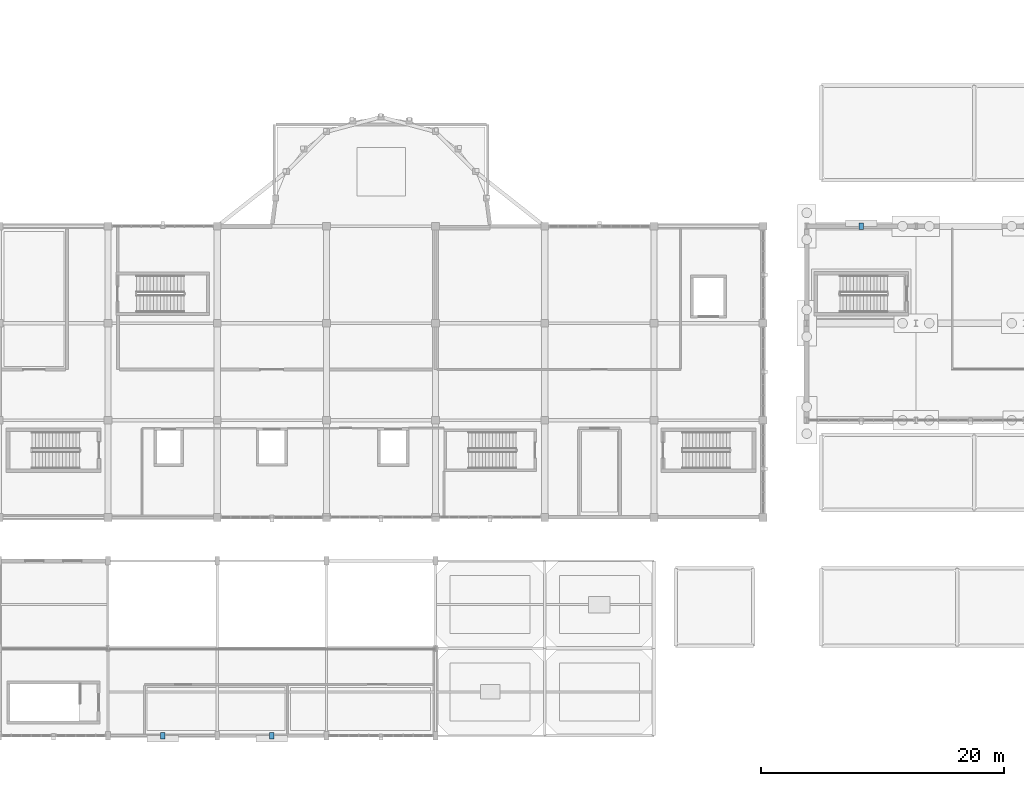
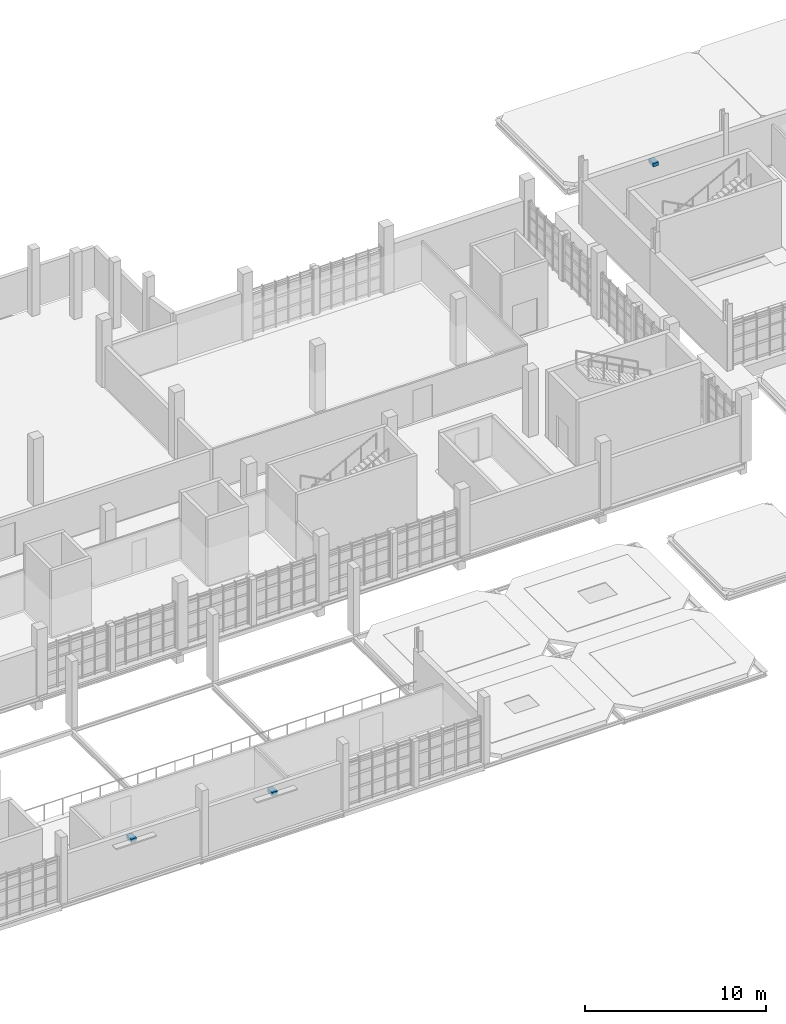
# One storey, part 109 of 125: 3 discrete accessories.
"""IFC4 building model written with IfcOpenShell, lengths in metres."""

from ifc_helpers import new_model, si_unit, direction, frame, origin, origin_2d, place, context, subcontext, project, spatial, rectangle, extrude, material, layer, layer_set, type_object, element, save


model = new_model("IFC4")

# Units and contexts
model_context = context("Model", 3, precision=1e-05, world=origin(), true_north=direction((0.0, 1.0)))
body_context = subcontext(model_context, "Body", "Model", "MODEL_VIEW")
ifc_project = project(units=[si_unit("LENGTHUNIT", "METRE"), si_unit("AREAUNIT", "SQUARE_METRE"), si_unit("VOLUMEUNIT", "CUBIC_METRE"), si_unit("PLANEANGLEUNIT", "RADIAN"), si_unit("MASSUNIT", "GRAM", prefix="KILO")], contexts=[model_context])

# Site, building, storey
site_placement = place(None, origin())
site = spatial("IfcSite", under=ifc_project, at=site_placement, CompositionType="ELEMENT")
building_placement = place(site_placement, origin())
building = spatial("IfcBuilding", under=site, at=building_placement, Name="Serraforn Aerial Cableway Station", CompositionType="ELEMENT")
storey_placement = place(building_placement, frame((0.0, 0.0, 4.5)))
storey = spatial("IfcBuildingStorey", under=building, at=storey_placement, Name="L01", CompositionType="ELEMENT", Elevation=4.5)

# Discrete accessories
ifc_material = material(Name="Steel S355J2", Category="steel")
ifc_layer = layer(ifc_material, 0.280029296875)
ifc_layer_set = layer_set([ifc_layer], Name="Steel S355J2")
discrete_accessory_type = type_object("IfcDiscreteAccessoryType", Name="BRK-STEEL", PredefinedType="BRACKET", material=ifc_layer_set)
for number, where, z_axis, x_axis, name in (
    (1, (41.10009765625, 0.0, 2.52978515625), (0.0, 0.0, 1.0), (1.0, 0.0, 0.0), "Sunshade Fixing Bracket 04"),
    (2, (50.10009765625, 0.0, 2.52978515625), (0.0, 0.0, 1.0), (1.0, 0.0, 0.0), "Sunshade Fixing Bracket 05"),
    (3, (98.699951171875, 42.0, 2.52978515625), (0.0, 0.0, 1.0), (1.0, 0.0, 0.0), "Sunshade Fixing Bracket 09"),
):
    element("IfcDiscreteAccessory", number, at=place(storey_placement, frame(where, z_axis=z_axis, x_axis=x_axis)), inside=storey, type_object=discrete_accessory_type, Name=name, PredefinedType="BRACKET", context=body_context, shape_type="SweptSolid", body=[
        extrude(rectangle(XDim=0.35009765625, YDim=0.52001953125, at=origin_2d()), origin(), (0.0, 0.0, 1.0), 0.239990234375),
    ])

save(model, "model.ifc")
